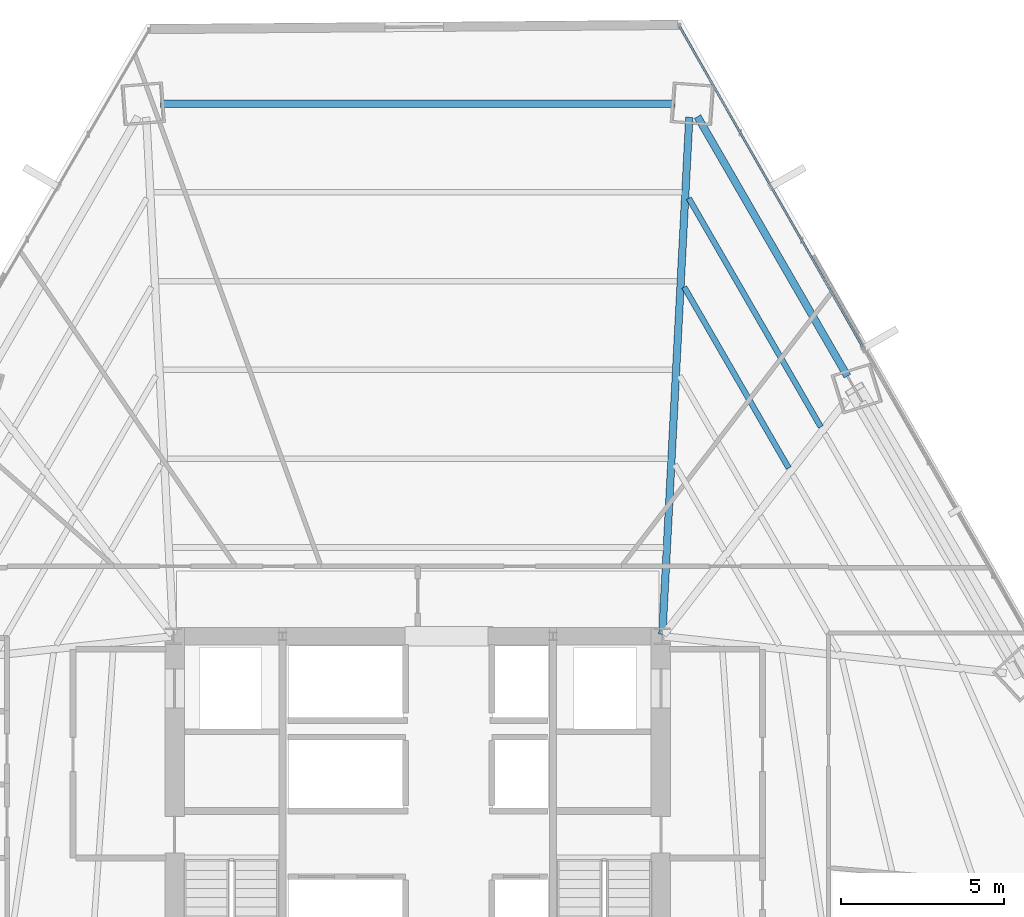
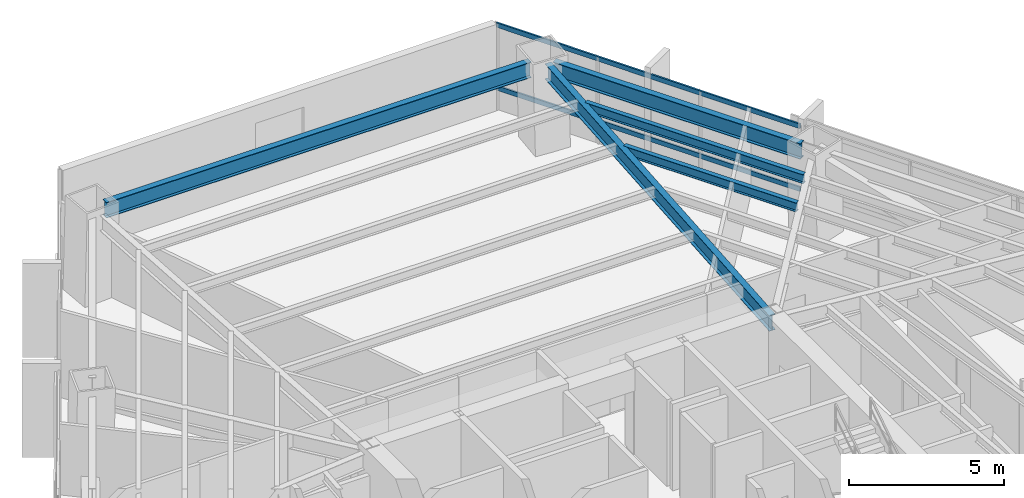
# One storey, part 27 of 36: 5 beams, 2 members, 1 element without a shape of its own.
"""IFC4 building model written with IfcOpenShell, lengths in metres."""

import ifcopenshell
import ifcopenshell.guid

model = None  # the IFC model being written
_history = None  # IfcOwnerHistory: only IFC2X3 demands one
_inside = {}  # id of a spatial element -> (the spatial element, [elements in it])
_under = {}  # id of a project, library or spatial element -> (it, [spatial elements below it])
_declared = {}  # id of a project -> (the project, [libraries it declares])
_typed = {}  # id of a type object -> (the type object, [elements of that type])
_made_of = {}  # id of a material, layer set ... -> (it, [elements and type objects made of it])


def new_model(schema):
    """Start an empty IFC model of exactly this schema.

    Asked for "IFC4X3", IfcOpenShell would pick the latest addendum, in which some entities
    have other attributes; the version numbers below select the first issue.
    IFC2X3 requires an IfcOwnerHistory on every rooted entity: one is made here for all.
    """
    global model, _history
    if schema == "IFC4X3":
        model = ifcopenshell.file(schema_version=(4, 3, 0, 0))
    else:
        model = ifcopenshell.file(schema=schema)
    _inside.clear()
    _under.clear()
    _declared.clear()
    _typed.clear()
    _made_of.clear()
    _history = None
    if model.schema == "IFC2X3":
        org = make("IfcOrganization", Name="unknown")
        user = make(
            "IfcPersonAndOrganization",
            ThePerson=make("IfcPerson", FamilyName="unknown"),
            TheOrganization=org,
        )
        app = make(
            "IfcApplication",
            ApplicationDeveloper=org,
            Version="unknown",
            ApplicationFullName="unknown",
            ApplicationIdentifier="unknown",
        )
        _history = make(
            "IfcOwnerHistory",
            OwningUser=user,
            OwningApplication=app,
            ChangeAction="ADDED",
            CreationDate=0,
        )
    return model


def make(cls, **values):
    """One entity of the class cls with the attributes given. An attribute that is None is left unset."""
    return model.create_entity(
        cls, **{name: value for name, value in values.items() if value is not None}
    )


def rooted(cls, **values):
    """An entity with a GlobalId (a new one), such as an element, a storey or a relation."""
    return make(cls, GlobalId=ifcopenshell.guid.new(), OwnerHistory=_history, **values)


def si_unit(unit_type, name, prefix=None):
    """IfcSIUnit, for example si_unit("LENGTHUNIT", "METRE", prefix="MILLI")."""
    return make("IfcSIUnit", UnitType=unit_type, Prefix=prefix, Name=name)


def assignment(units):
    """IfcUnitAssignment: the units of a project."""
    return None if units is None else make("IfcUnitAssignment", Units=units)


def point(xyz):
    """IfcCartesianPoint."""
    return None if xyz is None else make("IfcCartesianPoint", Coordinates=xyz)


def direction(xyz):
    """IfcDirection."""
    return None if xyz is None else make("IfcDirection", DirectionRatios=xyz)


def frame(location, z_axis=None, x_axis=None):
    """IfcAxis2Placement3D, a coordinate frame: its origin and axes. An axis left out is left unset."""
    return make(
        "IfcAxis2Placement3D",
        Location=point(location),
        Axis=direction(z_axis),
        RefDirection=direction(x_axis),
    )


def frame_2d(location, x_axis=None):
    """IfcAxis2Placement2D, a coordinate frame in the plane: its origin and x axis."""
    return make(
        "IfcAxis2Placement2D", Location=point(location), RefDirection=direction(x_axis)
    )


def origin():
    """The frame at (0, 0, 0) with its axes left unset."""
    return frame((0.0, 0.0, 0.0))


def origin_2d():
    """The frame at (0, 0) in the plane with its x axis left unset."""
    return frame_2d((0.0, 0.0))


def place(relative_to, where):
    """IfcLocalPlacement: puts the frame where relative to a parent placement (None: the world)."""
    return make(
        "IfcLocalPlacement", PlacementRelTo=relative_to, RelativePlacement=where
    )


def context(
    kind, dimensions, precision=None, world=None, true_north=None, identifier=None
):
    """IfcGeometricRepresentationContext, for example the 3D "Model" context."""
    return make(
        "IfcGeometricRepresentationContext",
        ContextIdentifier=identifier,
        ContextType=kind,
        CoordinateSpaceDimension=dimensions,
        Precision=precision,
        WorldCoordinateSystem=world,
        TrueNorth=true_north,
    )


def subcontext(parent, identifier, kind, view, scale=None):
    """IfcGeometricRepresentationSubContext, for example "Body" below "Model"."""
    return make(
        "IfcGeometricRepresentationSubContext",
        ContextIdentifier=identifier,
        ContextType=kind,
        ParentContext=parent,
        TargetScale=scale,
        TargetView=view,
    )


def project(units=None, contexts=None):
    """IfcProject with its units and contexts."""
    return rooted(
        "IfcProject",
        Name="project",
        RepresentationContexts=contexts,
        UnitsInContext=assignment(units),
    )


def spatial(cls, under=None, at=None, **own):
    """A site, building, storey or space (cls), placed at a placement, below another one or the project."""
    s = rooted(cls, ObjectPlacement=at, **own)
    if under is not None:
        _under.setdefault(under.id(), (under, []))[1].append(s)
    return s


def profile(cls, at=None, kind="AREA", **sizes):
    """A parametric profile (cls). Its sizes go by their IFC names, for example OverallWidth=200.0."""
    return make(cls, ProfileType=kind, Position=at, **sizes)


def hollow_rectangle(**sizes):
    """IfcRectangleHollowProfileDef."""
    return profile("IfcRectangleHollowProfileDef", **sizes)


def i_section(**sizes):
    """IfcIShapeProfileDef."""
    return profile("IfcIShapeProfileDef", **sizes)


def extrude(swept, where, along, depth):
    """IfcExtrudedAreaSolid: the profile swept, set in the frame where, extruded along a direction by depth."""
    return make(
        "IfcExtrudedAreaSolid",
        SweptArea=swept,
        Position=where,
        ExtrudedDirection=direction(along),
        Depth=depth,
    )


def shape(context_of_items, identifier, shape_type, items):
    """IfcShapeRepresentation: the items that make up one representation, for example the "Body"."""
    return make(
        "IfcShapeRepresentation",
        ContextOfItems=context_of_items,
        RepresentationIdentifier=identifier,
        RepresentationType=shape_type,
        Items=items,
    )


def source(mapping_origin, context_of_items, identifier, shape_type, items):
    """IfcRepresentationMap: a shape defined once, which mapped items show again and again."""
    return make(
        "IfcRepresentationMap",
        MappingOrigin=mapping_origin,
        MappedRepresentation=shape(context_of_items, identifier, shape_type, items),
    )


def transform(
    local_origin,
    x_axis=None,
    y_axis=None,
    z_axis=None,
    scale=None,
    scale2=None,
    scale3=None,
    uniform=True,
):
    """IfcCartesianTransformationOperator3D, or its non-uniform kind. x_axis, y_axis, z_axis: its Axis1, 2, 3."""
    if uniform:
        return make(
            "IfcCartesianTransformationOperator3D",
            Axis1=direction(x_axis),
            Axis2=direction(y_axis),
            LocalOrigin=point(local_origin),
            Scale=scale,
            Axis3=direction(z_axis),
        )
    return make(
        "IfcCartesianTransformationOperator3DnonUniform",
        Axis1=direction(x_axis),
        Axis2=direction(y_axis),
        LocalOrigin=point(local_origin),
        Scale=scale,
        Axis3=direction(z_axis),
        Scale2=scale2,
        Scale3=scale3,
    )


def mapped(mapping_source, mapping_target):
    """IfcMappedItem: shows the shape of a source again, moved by a transform."""
    return make(
        "IfcMappedItem", MappingSource=mapping_source, MappingTarget=mapping_target
    )


def material(Name=None, Category=None):
    """IfcMaterial."""
    return make("IfcMaterial", Name=Name, Category=Category)


def material_profile(
    of_material, cross_section, Name=None, Category=None, Priority=None
):
    """IfcMaterialProfile: a cross section and its material."""
    return make(
        "IfcMaterialProfile",
        Name=Name,
        Material=of_material,
        Profile=cross_section,
        Priority=Priority,
        Category=Category,
    )


def profile_set(profiles, Name=None, composite=None):
    """IfcMaterialProfileSet."""
    return make(
        "IfcMaterialProfileSet",
        Name=Name,
        MaterialProfiles=profiles,
        CompositeProfile=composite,
    )


def made_of(thing, what):
    """Note that an element or type object is made of a material, layer set ...; save() writes the relation."""
    if what is not None:
        _made_of.setdefault(what.id(), (what, []))[1].append(thing)
    return thing


def type_object(cls, material=None, **own):
    """A type object (cls), such as IfcWallType, which elements share."""
    return made_of(rooted(cls, **own), material)


def type_shapes(of_type, sources):
    """Give a type object the sources (RepresentationMaps) that its elements show as mapped items."""
    of_type.RepresentationMaps = sources


def element(
    cls,
    number,
    at=None,
    inside=None,
    cuts=None,
    type_object=None,
    material=None,
    context=None,
    identifier="Body",
    shape_type=None,
    held_by="IfcProductDefinitionShape",
    body=None,
    shapes=None,
    **own,
):
    """One element of the class cls, such as IfcWall. Its Tag is "e" and its number.

    at: its placement. inside: the storey or other place that contains it. cuts: it is an
    opening in that element (IfcRelVoidsElement). A single representation is given by context,
    identifier, shape_type and body (its items); several are given by shapes. held_by: the class
    of the entity that holds the representations. save() writes the other relations.
    """
    e = rooted(cls, Tag="e%d" % number, ObjectPlacement=at, **own)
    if body is not None:
        shapes = [shape(context, identifier, shape_type, body)]
    if shapes is not None:
        e.Representation = make(held_by, Representations=shapes)
    if inside is not None:
        _inside.setdefault(inside.id(), (inside, []))[1].append(e)
    if cuts is not None:
        rooted(
            "IfcRelVoidsElement", RelatingBuildingElement=cuts, RelatedOpeningElement=e
        )
    if type_object is not None:
        _typed.setdefault(type_object.id(), (type_object, []))[1].append(e)
    return made_of(e, material)


def aggregate(whole, parts):
    """IfcRelAggregates: a whole, such as a stair, and the parts it consists of."""
    return rooted("IfcRelAggregates", RelatingObject=whole, RelatedObjects=parts)


def save(model, path):
    """Write the relations noted so far, then the file.

    IfcRelAggregates (storeys below a building ...), IfcRelContainedInSpatialStructure (elements
    in a storey), IfcRelDefinesByType, IfcRelAssociatesMaterial and IfcRelDeclares: one each for
    every whole, place, type object, material and project.
    """
    for whole, parts in _under.values():
        aggregate(whole, parts)
    for where, things in _inside.values():
        rooted(
            "IfcRelContainedInSpatialStructure",
            RelatedElements=things,
            RelatingStructure=where,
        )
    for kind, things in _typed.values():
        rooted("IfcRelDefinesByType", RelatedObjects=things, RelatingType=kind)
    for what, things in _made_of.values():
        rooted("IfcRelAssociatesMaterial", RelatedObjects=things, RelatingMaterial=what)
    for by, libraries in _declared.values():
        rooted("IfcRelDeclares", RelatingContext=by, RelatedDefinitions=libraries)
    model.write(path)


model = new_model("IFC4")

# Units and contexts
model_context = context("Model", 3, precision=1e-05, world=origin(), true_north=direction((0.0, 1.0)))
body_context = subcontext(model_context, "Body", "Model", "MODEL_VIEW")
ifc_project = project(units=[si_unit("LENGTHUNIT", "METRE"), si_unit("AREAUNIT", "SQUARE_METRE"), si_unit("VOLUMEUNIT", "CUBIC_METRE"), si_unit("PLANEANGLEUNIT", "RADIAN"), si_unit("MASSUNIT", "GRAM", prefix="KILO")], contexts=[model_context])

# Site, building, storey
site_placement = place(None, origin())
site = spatial("IfcSite", under=ifc_project, at=site_placement, CompositionType="ELEMENT")
building_placement = place(site_placement, origin())
building = spatial("IfcBuilding", under=site, at=building_placement, Name="Caelisora Broadcast Tower", CompositionType="ELEMENT")
storey_placement = place(building_placement, frame((0.0, 0.0, 64.10009765625)))
storey = spatial("IfcBuildingStorey", under=building, at=storey_placement, Name="L16", CompositionType="ELEMENT", Elevation=64.10009765625)

# Beams
ifc_material_1 = material(Name="Steel Grade 350 (AS/NZS 3679.1)", Category="steel")
ifc_material_profile_1 = material_profile(ifc_material_1, i_section(OverallWidth=0.22900390625, OverallDepth=0.611572265625, WebThickness=0.011962890625, FlangeThickness=0.01953125, at=origin_2d()), Name="Steel Grade 350 (AS/NZS 3679.1)")
ifc_profile_set_1 = profile_set([ifc_material_profile_1], Name="Steel Grade 350 (AS/NZS 3679.1)")
beam_type_1 = type_object("IfcBeamType", Name="PG03", PredefinedType="BEAM", material=ifc_profile_set_1)
shared_shape_1 = source(origin(), body_context, "Body", "SweptSolid", [
    extrude(i_section(OverallWidth=0.22900390625, OverallDepth=0.611572265625, WebThickness=0.011962890625, FlangeThickness=0.01953125, at=origin_2d()), origin(), (0.0, 0.0, 1.0), 15.78466796875),
])
beam_1_placement = place(storey_placement, frame((45.892333984375, 46.3427734375, 3.093994140625), z_axis=(-1.0, 0.0, 0.0), x_axis=(0.0, -1.0, 0.0)))
element("IfcBeam", 1, at=beam_1_placement, inside=storey, type_object=beam_type_1, Name="L16 beam PG03", PredefinedType="BEAM", context=body_context, shape_type="MappedRepresentation", body=[
    mapped(shared_shape_1, transform((0.0, 0.0, 0.0), scale=1.0)),
])
shared_shape_2 = source(origin(), body_context, "Body", "SweptSolid", [
    extrude(i_section(OverallWidth=0.22900390625, OverallDepth=0.611572265625, WebThickness=0.011962890625, FlangeThickness=0.01953125, at=origin_2d()), origin(), (0.0, 0.0, 1.0), 9.1953125),
])
type_shapes(beam_type_1, [shared_shape_1, shared_shape_2])
beam_2_placement = place(storey_placement, frame((51.18017578125, 37.98095703125, 3.093994140625), z_axis=(-0.499999779356, 0.866025531173, 0.0), x_axis=(-0.866025531173, -0.499999779356, 0.0)))
element("IfcBeam", 2, at=beam_2_placement, inside=storey, type_object=beam_type_1, Name="L16 beam PG03", PredefinedType="BEAM", context=body_context, shape_type="MappedRepresentation", body=[
    mapped(shared_shape_2, transform((0.0, 0.0, 0.0), scale=1.0)),
])
ifc_material_profile_2 = material_profile(ifc_material_1, i_section(OverallWidth=0.22802734375, OverallDepth=0.602294921875, WebThickness=0.010498046875, FlangeThickness=0.014892578125, at=origin_2d()), Name="Steel Grade 350 (AS/NZS 3679.1)")
ifc_profile_set_2 = profile_set([ifc_material_profile_2], Name="Steel Grade 350 (AS/NZS 3679.1)")
beam_type_2 = type_object("IfcBeamType", Name="PG04", PredefinedType="BEAM", material=ifc_profile_set_2)
shared_shape_3 = source(origin(), body_context, "Body", "SweptSolid", [
    extrude(i_section(OverallWidth=0.22802734375, OverallDepth=0.602294921875, WebThickness=0.010498046875, FlangeThickness=0.014892578125, at=origin_2d()), origin(), (0.0, 0.0, 1.0), 15.885009765625),
])
type_shapes(beam_type_2, [shared_shape_3])
beam_3_placement = place(storey_placement, frame((45.503173828125, 30.059814453125, 3.098876953125), z_axis=(0.052086119098, 0.998642596827, 0.0), x_axis=(-0.998642596827, 0.052086119098, 0.0)))
element("IfcBeam", 3, at=beam_3_placement, inside=storey, type_object=beam_type_2, Name="L16 beam PG04", PredefinedType="BEAM", context=body_context, shape_type="MappedRepresentation", body=[
    mapped(shared_shape_3, transform((0.0, 0.0, 0.0), scale=1.0)),
])
ifc_material_profile_3 = material_profile(ifc_material_1, i_section(OverallWidth=0.172119140625, OverallDepth=0.358642578125, WebThickness=0.008056640625, FlangeThickness=0.012939453125, at=origin_2d()), Name="Steel Grade 350 (AS/NZS 3679.1)")
ifc_profile_set_3 = profile_set([ifc_material_profile_3], Name="Steel Grade 350 (AS/NZS 3679.1)")
beam_type_3 = type_object("IfcBeamType", Name="SB02", PredefinedType="JOIST", material=ifc_profile_set_3)
shared_shape_4 = source(origin(), body_context, "Body", "SweptSolid", [
    extrude(i_section(OverallWidth=0.172119140625, OverallDepth=0.358642578125, WebThickness=0.008056640625, FlangeThickness=0.012939453125, at=origin_2d()), origin(), (0.0, 0.0, 1.0), 6.417236328125),
])
beam_4_placement = place(storey_placement, frame((49.380126953125, 35.158935546875, 3.220703125), z_axis=(-0.500022136814, 0.866012622712, 0.0), x_axis=(-0.866012622712, -0.500022136814, 0.0)))
element("IfcBeam", 4, at=beam_4_placement, inside=storey, type_object=beam_type_3, Name="L16 beam SB02", PredefinedType="JOIST", context=body_context, shape_type="MappedRepresentation", body=[
    mapped(shared_shape_4, transform((0.0, 0.0, 0.0), scale=1.0)),
])
shared_shape_5 = source(origin(), body_context, "Body", "SweptSolid", [
    extrude(i_section(OverallWidth=0.172119140625, OverallDepth=0.358642578125, WebThickness=0.008056640625, FlangeThickness=0.012939453125, at=origin_2d()), origin(), (0.0, 0.0, 1.0), 8.103271484375),
])
type_shapes(beam_type_3, [shared_shape_4, shared_shape_5])
beam_5_placement = place(storey_placement, frame((50.364990234375, 36.422607421875, 3.220703125), z_axis=(-0.499991952407, 0.866030050014, 0.0), x_axis=(-0.866030050014, -0.499991952407, 0.0)))
element("IfcBeam", 5, at=beam_5_placement, inside=storey, type_object=beam_type_3, Name="L16 beam SB02", PredefinedType="JOIST", context=body_context, shape_type="MappedRepresentation", body=[
    mapped(shared_shape_5, transform((0.0, 0.0, 0.0), scale=1.0)),
])

# Curtain wall, members
ifc_material_2 = material(Name="Unitised Aluminium and Low-E Glass Curtain Wall", Category="glass")
curtain_wall_type = type_object("IfcCurtainWallType", Name="CW-Z1", PredefinedType="NOTDEFINED", material=ifc_material_2)
curtain_wall_placement = place(storey_placement, origin())
curtain_wall = element("IfcCurtainWall", 6, at=curtain_wall_placement, inside=storey, type_object=curtain_wall_type, Name="L16 curtain wall CW-Z1", PredefinedType="NOTDEFINED")
ifc_material_3 = material(Name="Aluminium 6063-T6 Anodised Terracotta Bronze", Category="aluminium")
ifc_material_profile_4 = material_profile(ifc_material_3, hollow_rectangle(XDim=0.06494140625, YDim=0.179931640625, WallThickness=0.00341796875, at=origin_2d()), Name="Aluminium 6063-T6 Anodised Terracotta Bronze")
ifc_profile_set_4 = profile_set([ifc_material_profile_4], Name="Aluminium 6063-T6 Anodised Terracotta Bronze")
member_type = type_object("IfcMemberType", Name="CWT-01", PredefinedType="USERDEFINED", material=ifc_profile_set_4)
shared_shape_6 = source(origin(), body_context, "Body", "SweptSolid", [
    extrude(hollow_rectangle(XDim=0.06494140625, YDim=0.179931640625, WallThickness=0.00341796875, at=origin_2d()), origin(), (0.0, 0.0, 1.0), 11.320068359375),
])
type_shapes(member_type, [shared_shape_6])
member_1_placement = place(storey_placement, frame((46.02978515625, 48.713623046875, 0.849853515625), z_axis=(0.495994931185, -0.868325416096, 0.0), x_axis=(0.868325416096, 0.495994931185, 0.0)))
member_1 = element("IfcMember", 7, at=member_1_placement, type_object=member_type, Name="L16-CW-B01 transom #1", ObjectType="TRANSOM", PredefinedType="USERDEFINED", context=body_context, shape_type="MappedRepresentation", body=[
    mapped(shared_shape_6, transform((0.0, 0.0, 0.0), scale=1.0)),
])
member_2_placement = place(storey_placement, frame((46.02978515625, 48.713623046875, 3.31982421875), z_axis=(0.495994931185, -0.868325416096, 0.0), x_axis=(0.868325416096, 0.495994931185, 0.0)))
member_2 = element("IfcMember", 8, at=member_2_placement, type_object=member_type, Name="L16-CW-B01 transom #2", ObjectType="TRANSOM", PredefinedType="USERDEFINED", context=body_context, shape_type="MappedRepresentation", body=[
    mapped(shared_shape_6, transform((0.0, 0.0, 0.0), scale=1.0)),
])
aggregate(curtain_wall, [member_1, member_2])

save(model, "model.ifc")
